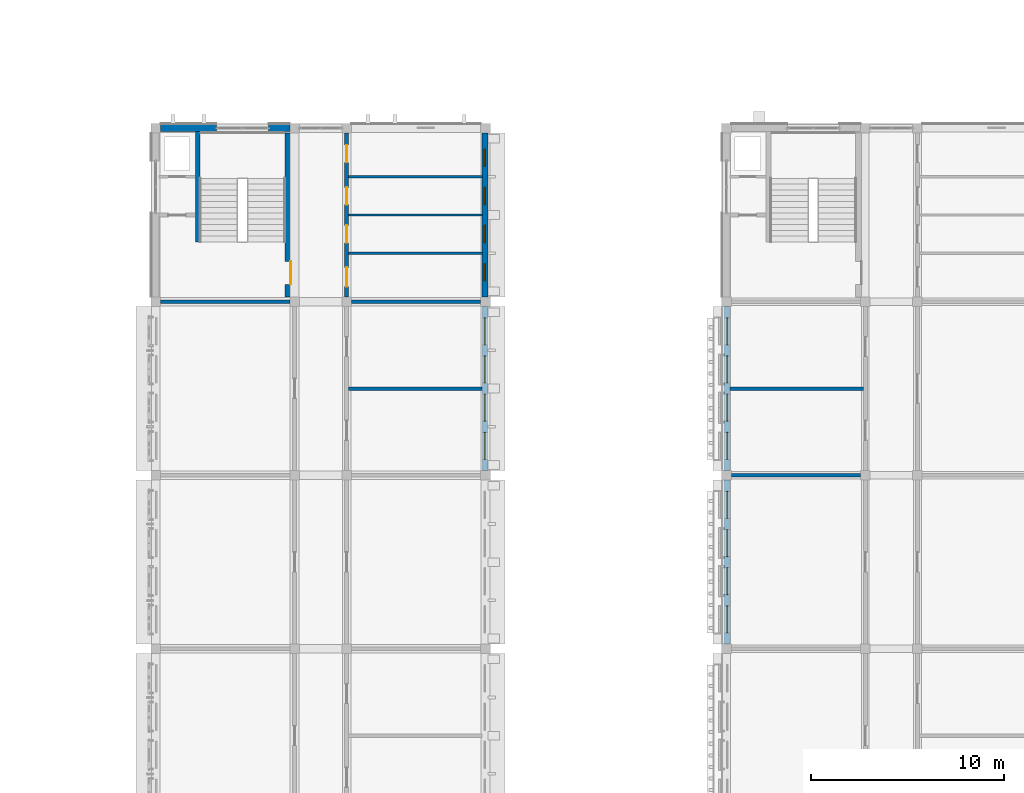
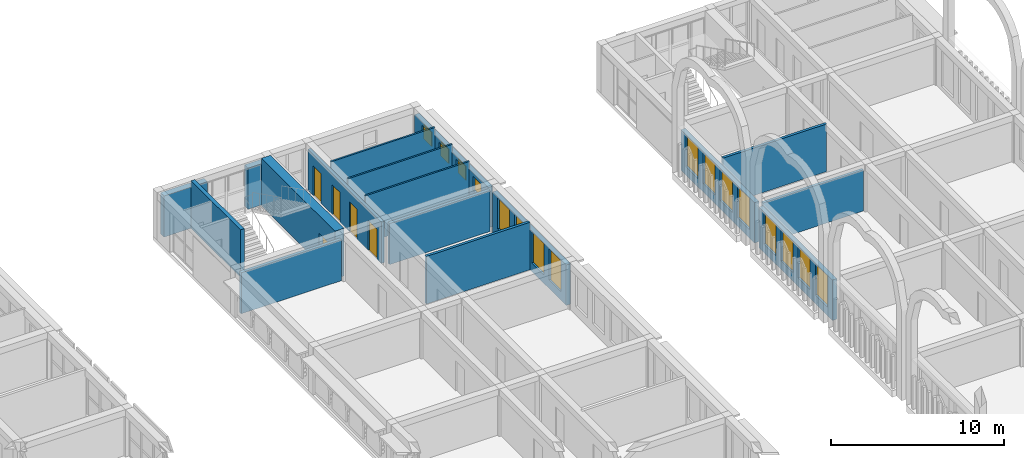
# One storey, part 51 of 82: 17 walls, 16 windows, 5 doors, 21 openings.
"""IFC4 building model written with IfcOpenShell, lengths in metres."""

from ifc_helpers import new_model, si_unit, direction, frame, frame_2d, origin, place, context, subcontext, project, spatial, rectangle, extrude, material, layer, layer_set, type_object, element, fill, save


model = new_model("IFC4")

# Units and contexts
model_context = context("Model", 3, precision=1e-05, world=origin(), true_north=direction((0.0, 1.0)))
body_context = subcontext(model_context, "Body", "Model", "MODEL_VIEW")
ifc_project = project(units=[si_unit("LENGTHUNIT", "METRE"), si_unit("AREAUNIT", "SQUARE_METRE"), si_unit("VOLUMEUNIT", "CUBIC_METRE"), si_unit("PLANEANGLEUNIT", "RADIAN"), si_unit("MASSUNIT", "GRAM", prefix="KILO")], contexts=[model_context])

# Site, building, storey
site_placement = place(None, origin())
site = spatial("IfcSite", under=ifc_project, at=site_placement, CompositionType="ELEMENT")
building_placement = place(site_placement, origin())
building = spatial("IfcBuilding", under=site, at=building_placement, Name="Elbe Cascade School", CompositionType="ELEMENT")
storey_placement = place(building_placement, frame((0.0, 0.0, 4.5)))
storey = spatial("IfcBuildingStorey", under=building, at=storey_placement, Name="L01", CompositionType="ELEMENT", Elevation=4.5)

# Walls
ifc_material_1 = material(Name="Masonry - lime-sand block, plastered", Category="masonry")
ifc_layer_1 = layer(ifc_material_1, 0.175048828125)
ifc_layer_set_1 = layer_set([ifc_layer_1], Name="Masonry - lime-sand block, plastered")
wall_type_1 = type_object("IfcWallType", Name="Bar classroom partition wall lime-sand block 175", PredefinedType="PARTITIONING", material=ifc_layer_set_1)
wall_1_placement = place(storey_placement, frame((108.60009765625, 46.5, 0.0), z_axis=(0.0, 0.0, 1.0), x_axis=(1.0, 0.0, 0.0)))
element("IfcWall", 1, at=wall_1_placement, inside=storey, type_object=wall_type_1, Name="Bar classroom partition wall lime-sand block 175", PredefinedType="PARTITIONING", context=body_context, shape_type="SweptSolid", body=[
    extrude(rectangle(XDim=6.919921875, YDim=0.175048828125, at=frame_2d((3.4599609375, 0.0))), origin(), (0.0, 0.0, 1.0), 3.35009765625),
])
wall_2_placement = place(storey_placement, frame((128.449951171875, 42.0, 0.0), z_axis=(0.0, 0.0, 1.0), x_axis=(1.0, 0.0, 0.0)))
element("IfcWall", 2, at=wall_2_placement, inside=storey, type_object=wall_type_1, Name="Bar classroom partition wall lime-sand block 175", PredefinedType="PARTITIONING", context=body_context, shape_type="SweptSolid", body=[
    extrude(rectangle(XDim=6.699951171875, YDim=0.175048828125, at=frame_2d((3.35009765625, 0.0))), origin(), (0.0, 0.0, 1.0), 2.89990234375),
])
wall_3_placement = place(storey_placement, frame((128.3798828125, 46.5, 0.0), z_axis=(0.0, 0.0, 1.0), x_axis=(1.0, 0.0, 0.0)))
element("IfcWall", 3, at=wall_3_placement, inside=storey, type_object=wall_type_1, Name="Bar classroom partition wall lime-sand block 175", PredefinedType="PARTITIONING", context=body_context, shape_type="SweptSolid", body=[
    extrude(rectangle(XDim=6.920166015625, YDim=0.175048828125, at=frame_2d((3.4599609375, 0.0))), origin(), (0.0, 0.0, 1.0), 3.35009765625),
])

# Wall, openings, doors
ifc_material_2 = material(Name="Masonry - lime-sand block, plastered", Category="masonry")
ifc_layer_2 = layer(ifc_material_2, 0.199951171875)
ifc_layer_set_2 = layer_set([ifc_layer_2], Name="Masonry - lime-sand block, plastered")
wall_type_2 = type_object("IfcWallType", Name="Bar corridor wall lime-sand block 200 EI 30", PredefinedType="PARTITIONING", material=ifc_layer_set_2)
wall_4_placement = place(storey_placement, frame((108.5, 59.75, 0.0), z_axis=(0.0, 0.0, 1.0), x_axis=(0.0, -1.0, 0.0)))
wall_4 = element("IfcWall", 4, at=wall_4_placement, inside=storey, type_object=wall_type_2, Name="Bar corridor wall lime-sand block 200 EI 30", PredefinedType="PARTITIONING", context=body_context, shape_type="SweptSolid", body=[
    extrude(rectangle(XDim=8.5, YDim=0.199951171875, at=frame_2d((4.25, 0.0))), origin(), (0.0, 0.0, 1.0), 2.89990234375),
])
opening_1_placement = place(wall_4_placement, frame((6.96875, 0.0, 0.0)))
opening_1 = element("IfcOpeningElement", 5, at=opening_1_placement, cuts=wall_4, Name="Opening D1.049", PredefinedType="OPENING", context=body_context, shape_type="SweptSolid", body=[
    extrude(rectangle(XDim=1.0, YDim=2.10009765625, at=frame_2d((0.5, 1.050048828125))), frame((0.0, 0.10986328125, 0.0), z_axis=(0.0, -1.0, 0.0), x_axis=(1.0, 0.0, 0.0)), (0.0, 0.0, 1.0), 0.219970703125),
])
opening_2_placement = place(wall_4_placement, frame((4.7900390625, 0.0, 0.0)))
opening_2 = element("IfcOpeningElement", 6, at=opening_2_placement, cuts=wall_4, Name="Opening D1.051", PredefinedType="OPENING", context=body_context, shape_type="SweptSolid", body=[
    extrude(rectangle(XDim=0.89990234375, YDim=2.10009765625, at=frame_2d((0.449951171875, 1.050048828125))), frame((0.0, 0.10986328125, 0.0), z_axis=(0.0, -1.0, 0.0), x_axis=(1.0, 0.0, 0.0)), (0.0, 0.0, 1.0), 0.219970703125),
])
opening_3_placement = place(wall_4_placement, frame((2.81005859375, 0.0, 0.0)))
opening_3 = element("IfcOpeningElement", 7, at=opening_3_placement, cuts=wall_4, Name="Opening D1.053", PredefinedType="OPENING", context=body_context, shape_type="SweptSolid", body=[
    extrude(rectangle(XDim=0.89990234375, YDim=2.10009765625, at=frame_2d((0.449951171875, 1.050048828125))), frame((0.0, 0.10986328125, 0.0), z_axis=(0.0, -1.0, 0.0), x_axis=(1.0, 0.0, 0.0)), (0.0, 0.0, 1.0), 0.219970703125),
])
opening_4_placement = place(wall_4_placement, frame((0.62109375, 0.0, 0.0)))
opening_4 = element("IfcOpeningElement", 8, at=opening_4_placement, cuts=wall_4, Name="Opening D1.055", PredefinedType="OPENING", context=body_context, shape_type="SweptSolid", body=[
    extrude(rectangle(XDim=0.89990234375, YDim=2.10009765625, at=frame_2d((0.449951171875, 1.050048828125))), frame((0.0, 0.10986328125, 0.0), z_axis=(0.0, -1.0, 0.0), x_axis=(1.0, 0.0, 0.0)), (0.0, 0.0, 1.0), 0.219970703125),
])
ifc_material_3 = material(Name="Timber door leaf, fire-resisting, steel frame", Category="steel")
door_type_1 = type_object("IfcDoorType", Name="Bar door FD30 1000x2100", OperationType="NOTDEFINED", PredefinedType="DOOR", material=ifc_material_3)
door_1_placement = place(opening_1_placement, origin())
door_1 = element("IfcDoor", 9, at=door_1_placement, inside=storey, type_object=door_type_1, Name="Door B1.18", OperationType="SINGLE_SWING_LEFT", OverallHeight=2.10009765625, OverallWidth=1.0, PredefinedType="DOOR", context=body_context, shape_type="SweptSolid", body=[
    extrude(rectangle(XDim=1.0, YDim=2.10009765625, at=frame_2d((0.5, 1.050048828125))), frame((0.0, 0.02490234375, 0.0), z_axis=(0.0, -1.0, 0.0), x_axis=(1.0, 0.0, 0.0)), (0.0, 0.0, 1.0), 0.050048828125),
])
fill(opening_1, door_1)
ifc_material_4 = material(Name="Timber door leaf, fire-resisting, steel frame", Category="steel")
door_type_2 = type_object("IfcDoorType", Name="Bar door FD30 900x2100", OperationType="NOTDEFINED", PredefinedType="DOOR", material=ifc_material_4)
door_2_placement = place(opening_2_placement, origin())
door_2 = element("IfcDoor", 10, at=door_2_placement, inside=storey, type_object=door_type_2, Name="Door B1.17", OperationType="SINGLE_SWING_RIGHT", OverallHeight=2.10009765625, OverallWidth=0.89990234375, PredefinedType="DOOR", context=body_context, shape_type="SweptSolid", body=[
    extrude(rectangle(XDim=0.89990234375, YDim=2.10009765625, at=frame_2d((0.449951171875, 1.050048828125))), frame((0.0, 0.02490234375, 0.0), z_axis=(0.0, -1.0, 0.0), x_axis=(1.0, 0.0, 0.0)), (0.0, 0.0, 1.0), 0.050048828125),
])
fill(opening_2, door_2)
door_3_placement = place(opening_3_placement, origin())
door_3 = element("IfcDoor", 11, at=door_3_placement, inside=storey, type_object=door_type_2, Name="Door B1.16", OperationType="SINGLE_SWING_LEFT", OverallHeight=2.10009765625, OverallWidth=0.89990234375, PredefinedType="DOOR", context=body_context, shape_type="SweptSolid", body=[
    extrude(rectangle(XDim=0.89990234375, YDim=2.10009765625, at=frame_2d((0.449951171875, 1.050048828125))), frame((0.0, 0.02490234375, 0.0), z_axis=(0.0, -1.0, 0.0), x_axis=(1.0, 0.0, 0.0)), (0.0, 0.0, 1.0), 0.050048828125),
])
fill(opening_3, door_3)
door_4_placement = place(opening_4_placement, origin())
door_4 = element("IfcDoor", 12, at=door_4_placement, inside=storey, type_object=door_type_2, Name="Door B1.15", OperationType="SINGLE_SWING_RIGHT", OverallHeight=2.10009765625, OverallWidth=0.89990234375, PredefinedType="DOOR", context=body_context, shape_type="SweptSolid", body=[
    extrude(rectangle(XDim=0.89990234375, YDim=2.10009765625, at=frame_2d((0.449951171875, 1.050048828125))), frame((0.0, 0.02490234375, 0.0), z_axis=(0.0, -1.0, 0.0), x_axis=(1.0, 0.0, 0.0)), (0.0, 0.0, 1.0), 0.050048828125),
])
fill(opening_4, door_4)

# Walls
ifc_material_5 = material(Name="Masonry - lime-sand block, plastered", Category="masonry")
ifc_layer_3 = layer(ifc_material_5, 0.114990234375)
ifc_layer_set_3 = layer_set([ifc_layer_3], Name="Masonry - lime-sand block, plastered")
wall_type_3 = type_object("IfcWallType", Name="Bar light partition wall lime-sand block 115", PredefinedType="PARTITIONING", material=ifc_layer_set_3)
for number, where, z_axis, x_axis, name in (
    (13, (108.60009765625, 57.47998046875, 0.0), (0.0, 0.0, 1.0), (1.0, 0.0, 0.0), "Bar light partition wall lime-sand block 115"),
    (14, (108.60009765625, 55.5, 0.0), (0.0, 0.0, 1.0), (1.0, 0.0, 0.0), "Bar light partition wall lime-sand block 115"),
    (15, (108.60009765625, 53.52001953125, 0.0), (0.0, 0.0, 1.0), (1.0, 0.0, 0.0), "Bar light partition wall lime-sand block 115"),
):
    element("IfcWall", number, at=place(storey_placement, frame(where, z_axis=z_axis, x_axis=x_axis)), inside=storey, type_object=wall_type_3, Name=name, PredefinedType="PARTITIONING", context=body_context, shape_type="SweptSolid", body=[
        extrude(rectangle(XDim=6.949951171875, YDim=0.114990234375, at=frame_2d((3.47509765625, 0.0))), origin(), (0.0, 0.0, 1.0), 3.35009765625),
    ])
ifc_material_6 = material(Name="Masonry - lime-sand block, plastered", Category="masonry")
ifc_layer_4 = layer(ifc_material_6, 0.199951171875)
ifc_layer_set_4 = layer_set([ifc_layer_4], Name="Masonry - lime-sand block, plastered")
wall_type_4 = type_object("IfcWallType", Name="Bar partition wall lime-sand block 200", PredefinedType="PARTITIONING", material=ifc_layer_set_4)
wall_5_placement = place(storey_placement, frame((108.75, 51.0, 0.0), z_axis=(0.0, 0.0, 1.0), x_axis=(1.0, 0.0, 0.0)))
element("IfcWall", 16, at=wall_5_placement, inside=storey, type_object=wall_type_4, Name="Bar partition wall lime-sand block 200", PredefinedType="PARTITIONING", context=body_context, shape_type="SweptSolid", body=[
    extrude(rectangle(XDim=6.699951171875, YDim=0.199951171875, at=frame_2d((3.35009765625, 0.0))), origin(), (0.0, 0.0, 1.0), 2.89990234375),
])
ifc_material_7 = material(Name="Concrete C30/37", Category="concrete")
ifc_layer_5 = layer(ifc_material_7, 0.25)
ifc_layer_set_5 = layer_set([ifc_layer_5], Name="Concrete C30/37")
wall_type_5 = type_object("IfcWallType", Name="Bar stair core wall RC 250", PredefinedType="SOLIDWALL", material=ifc_layer_set_5)
wall_6_placement = place(storey_placement, frame((100.77490234375, 54.10009765625, 0.0), z_axis=(0.0, 0.0, 1.0), x_axis=(0.0, 1.0, 0.0)))
element("IfcWall", 17, at=wall_6_placement, inside=storey, type_object=wall_type_5, Name="Bar stair core wall RC 250", PredefinedType="SOLIDWALL", context=body_context, shape_type="SweptSolid", body=[
    extrude(rectangle(XDim=5.719970703125, YDim=0.25, at=frame_2d((2.85986328125, 0.0))), origin(), (0.0, 0.0, 1.0), 3.35009765625),
])

# Wall, opening, door
ifc_material_8 = material(Name="Concrete C30/37", Category="concrete")
ifc_layer_6 = layer(ifc_material_8, 0.60009765625)
ifc_layer_set_6 = layer_set([ifc_layer_6], Name="Concrete C30/37")
wall_type_6 = type_object("IfcWallType", Name="Bar stair core wall RC 600", PredefinedType="SOLIDWALL", material=ifc_layer_set_6)
wall_7_placement = place(storey_placement, frame((105.60009765625, 51.25, 0.0), z_axis=(0.0, 0.0, 1.0), x_axis=(0.0, 1.0, 0.0)))
wall_7 = element("IfcWall", 18, at=wall_7_placement, inside=storey, type_object=wall_type_6, Name="Bar stair core wall RC 600", PredefinedType="SOLIDWALL", context=body_context, shape_type="SweptSolid", body=[
    extrude(rectangle(XDim=8.5, YDim=0.60009765625, at=frame_2d((4.25, 0.0))), origin(), (0.0, 0.0, 1.0), 3.35009765625),
])
opening_5_placement = place(wall_7_placement, frame((0.64990234375, 0.0, 0.0)))
opening_5 = element("IfcOpeningElement", 19, at=opening_5_placement, cuts=wall_7, Name="Opening D1.050", PredefinedType="OPENING", context=body_context, shape_type="SweptSolid", body=[
    extrude(rectangle(XDim=1.199951171875, YDim=2.10009765625, at=frame_2d((0.60009765625, 1.050048828125))), frame((0.0, 0.31005859375, 0.0), z_axis=(0.0, -1.0, 0.0), x_axis=(1.0, 0.0, 0.0)), (0.0, 0.0, 1.0), 0.6201171875),
])
ifc_material_9 = material(Name="Timber door leaf, fire-resisting and smoke-tight, steel frame", Category="steel")
door_type_3 = type_object("IfcDoorType", Name="Bar door FD30S 1200x2100", OperationType="NOTDEFINED", PredefinedType="DOOR", material=ifc_material_9)
door_5_placement = place(opening_5_placement, origin())
door_5 = element("IfcDoor", 20, at=door_5_placement, inside=storey, type_object=door_type_3, Name="Door B1.12", OperationType="SINGLE_SWING_RIGHT", OverallHeight=2.10009765625, OverallWidth=1.199951171875, PredefinedType="DOOR", context=body_context, shape_type="SweptSolid", body=[
    extrude(rectangle(XDim=1.199951171875, YDim=2.10009765625, at=frame_2d((0.60009765625, 1.050048828125))), frame((0.0, 0.02490234375, 0.0), z_axis=(0.0, -1.0, 0.0), x_axis=(1.0, 0.0, 0.0)), (0.0, 0.0, 1.0), 0.050048828125),
])
fill(opening_5, door_5)

# Wall
ifc_material_10 = material(Name="Concrete C30/37", Category="concrete")
ifc_layer_7 = layer(ifc_material_10, 0.199951171875)
ifc_layer_set_7 = layer_set([ifc_layer_7], Name="Concrete C30/37")
wall_type_7 = type_object("IfcWallType", Name="Bar stair lobby wall RC 200", PredefinedType="SOLIDWALL", material=ifc_layer_set_7)
wall_8_placement = place(storey_placement, frame((98.85009765625, 51.0, 0.0), z_axis=(0.0, 0.0, 1.0), x_axis=(1.0, 0.0, 0.0)))
element("IfcWall", 21, at=wall_8_placement, inside=storey, type_object=wall_type_7, Name="Bar stair lobby wall RC 200", PredefinedType="SOLIDWALL", context=body_context, shape_type="SweptSolid", body=[
    extrude(rectangle(XDim=6.699951171875, YDim=0.199951171875, at=frame_2d((3.35009765625, 0.0))), origin(), (0.0, 0.0, 1.0), 2.89990234375),
])

# Wall, openings, windows
ifc_material_11 = material(Name="Brick masonry - red clinker, cavity wall with render backing", Category="masonry")
ifc_layer_8 = layer(ifc_material_11, 0.300048828125)
ifc_layer_set_8 = layer_set([ifc_layer_8], Name="Brick masonry - red clinker, cavity wall with render backing")
wall_type_8 = type_object("IfcWallType", Name="Bars envelope External wall - clinker brick cavity, 300 upper floors", PredefinedType="STANDARD", material=ifc_layer_set_8)
wall_9_placement = place(storey_placement, frame((115.669921875, 50.75, 0.0), z_axis=(0.0, 0.0, 1.0), x_axis=(0.0, -1.0, 0.0)))
wall_9 = element("IfcWall", 22, at=wall_9_placement, inside=storey, type_object=wall_type_8, Name="External wall W30 B.L01.e5", PredefinedType="STANDARD", context=body_context, shape_type="SweptSolid", body=[
    extrude(rectangle(XDim=8.5, YDim=0.300048828125, at=frame_2d((4.25, 0.0))), origin(), (0.0, 0.0, 1.0), 2.85009765625),
])
opening_6_placement = place(wall_9_placement, frame((6.52001953125, 0.0, 0.60009765625)))
opening_6 = element("IfcOpeningElement", 23, at=opening_6_placement, cuts=wall_9, Name="Opening W1.051", PredefinedType="OPENING", context=body_context, shape_type="SweptSolid", body=[
    extrude(rectangle(XDim=1.39990234375, YDim=2.199951171875, at=frame_2d((0.699951171875, 1.10009765625))), frame((0.0, 0.159912109375, 0.0), z_axis=(0.0, -1.0, 0.0), x_axis=(1.0, 0.0, 0.0)), (0.0, 0.0, 1.0), 0.320068359375),
])
opening_7_placement = place(wall_9_placement, frame((4.5400390625, 0.0, 0.60009765625)))
opening_7 = element("IfcOpeningElement", 24, at=opening_7_placement, cuts=wall_9, Name="Opening W1.053", PredefinedType="OPENING", context=body_context, shape_type="SweptSolid", body=[
    extrude(rectangle(XDim=1.39990234375, YDim=2.199951171875, at=frame_2d((0.699951171875, 1.10009765625))), frame((0.0, 0.159912109375, 0.0), z_axis=(0.0, -1.0, 0.0), x_axis=(1.0, 0.0, 0.0)), (0.0, 0.0, 1.0), 0.320068359375),
])
opening_8_placement = place(wall_9_placement, frame((2.56005859375, 0.0, 0.60009765625)))
opening_8 = element("IfcOpeningElement", 25, at=opening_8_placement, cuts=wall_9, Name="Opening W1.055", PredefinedType="OPENING", context=body_context, shape_type="SweptSolid", body=[
    extrude(rectangle(XDim=1.39990234375, YDim=2.199951171875, at=frame_2d((0.699951171875, 1.10009765625))), frame((0.0, 0.159912109375, 0.0), z_axis=(0.0, -1.0, 0.0), x_axis=(1.0, 0.0, 0.0)), (0.0, 0.0, 1.0), 0.320068359375),
])
opening_9_placement = place(wall_9_placement, frame((0.580078125, 0.0, 0.60009765625)))
opening_9 = element("IfcOpeningElement", 26, at=opening_9_placement, cuts=wall_9, Name="Opening W1.057", PredefinedType="OPENING", context=body_context, shape_type="SweptSolid", body=[
    extrude(rectangle(XDim=1.39990234375, YDim=2.199951171875, at=frame_2d((0.699951171875, 1.10009765625))), frame((0.0, 0.159912109375, 0.0), z_axis=(0.0, -1.0, 0.0), x_axis=(1.0, 0.0, 0.0)), (0.0, 0.0, 1.0), 0.320068359375),
])
ifc_material_12 = material(Name="Aluminium frame with double glazing, bronze anodised", Category="aluminium")
window_type_1 = type_object("IfcWindowType", Name="Bars envelope Window 1400 x 2200, classroom, aluminium double glazed", PartitioningType="DOUBLE_PANEL_VERTICAL", PredefinedType="WINDOW", material=ifc_material_12)
window_1_placement = place(opening_6_placement, origin())
window_1 = element("IfcWindow", 27, at=window_1_placement, inside=storey, type_object=window_type_1, Name="Window WN7 B.L01.e5.1", OverallHeight=2.199951171875, OverallWidth=1.39990234375, PartitioningType="DOUBLE_PANEL_VERTICAL", PredefinedType="WINDOW", context=body_context, shape_type="SweptSolid", body=[
    extrude(rectangle(XDim=1.39990234375, YDim=2.199951171875, at=frame_2d((0.699951171875, 1.10009765625))), frame((0.0, 0.030029296875, 0.0), z_axis=(0.0, -1.0, 0.0), x_axis=(1.0, 0.0, 0.0)), (0.0, 0.0, 1.0), 0.06005859375),
])
fill(opening_6, window_1)
window_2_placement = place(opening_7_placement, origin())
window_2 = element("IfcWindow", 28, at=window_2_placement, inside=storey, type_object=window_type_1, Name="Window WN7 B.L01.e5.2", OverallHeight=2.199951171875, OverallWidth=1.39990234375, PartitioningType="DOUBLE_PANEL_VERTICAL", PredefinedType="WINDOW", context=body_context, shape_type="SweptSolid", body=[
    extrude(rectangle(XDim=1.39990234375, YDim=2.199951171875, at=frame_2d((0.699951171875, 1.10009765625))), frame((0.0, 0.030029296875, 0.0), z_axis=(0.0, -1.0, 0.0), x_axis=(1.0, 0.0, 0.0)), (0.0, 0.0, 1.0), 0.06005859375),
])
fill(opening_7, window_2)
window_3_placement = place(opening_8_placement, origin())
window_3 = element("IfcWindow", 29, at=window_3_placement, inside=storey, type_object=window_type_1, Name="Window WN7 B.L01.e5.3", OverallHeight=2.199951171875, OverallWidth=1.39990234375, PartitioningType="DOUBLE_PANEL_VERTICAL", PredefinedType="WINDOW", context=body_context, shape_type="SweptSolid", body=[
    extrude(rectangle(XDim=1.39990234375, YDim=2.199951171875, at=frame_2d((0.699951171875, 1.10009765625))), frame((0.0, 0.030029296875, 0.0), z_axis=(0.0, -1.0, 0.0), x_axis=(1.0, 0.0, 0.0)), (0.0, 0.0, 1.0), 0.06005859375),
])
fill(opening_8, window_3)
window_4_placement = place(opening_9_placement, origin())
window_4 = element("IfcWindow", 30, at=window_4_placement, inside=storey, type_object=window_type_1, Name="Window WN7 B.L01.e5.4", OverallHeight=2.199951171875, OverallWidth=1.39990234375, PartitioningType="DOUBLE_PANEL_VERTICAL", PredefinedType="WINDOW", context=body_context, shape_type="SweptSolid", body=[
    extrude(rectangle(XDim=1.39990234375, YDim=2.199951171875, at=frame_2d((0.699951171875, 1.10009765625))), frame((0.0, 0.030029296875, 0.0), z_axis=(0.0, -1.0, 0.0), x_axis=(1.0, 0.0, 0.0)), (0.0, 0.0, 1.0), 0.06005859375),
])
fill(opening_9, window_4)

wall_10_placement = place(storey_placement, frame((115.669921875, 59.75, 0.0), z_axis=(0.0, 0.0, 1.0), x_axis=(0.0, -1.0, 0.0)))
wall_10 = element("IfcWall", 31, at=wall_10_placement, inside=storey, type_object=wall_type_8, Name="External wall W30 B.L01.e6", PredefinedType="STANDARD", context=body_context, shape_type="SweptSolid", body=[
    extrude(rectangle(XDim=8.5, YDim=0.300048828125, at=frame_2d((4.25, 0.0))), origin(), (0.0, 0.0, 1.0), 2.85009765625),
])
opening_10_placement = place(wall_10_placement, frame((6.77001953125, 0.0, 1.60009765625)))
opening_10 = element("IfcOpeningElement", 32, at=opening_10_placement, cuts=wall_10, Name="Opening W1.058", PredefinedType="OPENING", context=body_context, shape_type="SweptSolid", body=[
    extrude(rectangle(XDim=0.89990234375, YDim=1.0, at=frame_2d((0.449951171875, 0.5))), frame((0.0, 0.159912109375, 0.0), z_axis=(0.0, -1.0, 0.0), x_axis=(1.0, 0.0, 0.0)), (0.0, 0.0, 1.0), 0.320068359375),
])
opening_11_placement = place(wall_10_placement, frame((4.7900390625, 0.0, 1.60009765625)))
opening_11 = element("IfcOpeningElement", 33, at=opening_11_placement, cuts=wall_10, Name="Opening W1.059", PredefinedType="OPENING", context=body_context, shape_type="SweptSolid", body=[
    extrude(rectangle(XDim=0.89990234375, YDim=1.0, at=frame_2d((0.449951171875, 0.5))), frame((0.0, 0.159912109375, 0.0), z_axis=(0.0, -1.0, 0.0), x_axis=(1.0, 0.0, 0.0)), (0.0, 0.0, 1.0), 0.320068359375),
])
opening_12_placement = place(wall_10_placement, frame((2.81005859375, 0.0, 1.60009765625)))
opening_12 = element("IfcOpeningElement", 34, at=opening_12_placement, cuts=wall_10, Name="Opening W1.060", PredefinedType="OPENING", context=body_context, shape_type="SweptSolid", body=[
    extrude(rectangle(XDim=0.89990234375, YDim=1.0, at=frame_2d((0.449951171875, 0.5))), frame((0.0, 0.159912109375, 0.0), z_axis=(0.0, -1.0, 0.0), x_axis=(1.0, 0.0, 0.0)), (0.0, 0.0, 1.0), 0.320068359375),
])
opening_13_placement = place(wall_10_placement, frame((0.830078125, 0.0, 1.60009765625)))
opening_13 = element("IfcOpeningElement", 35, at=opening_13_placement, cuts=wall_10, Name="Opening W1.061", PredefinedType="OPENING", context=body_context, shape_type="SweptSolid", body=[
    extrude(rectangle(XDim=0.89990234375, YDim=1.0, at=frame_2d((0.449951171875, 0.5))), frame((0.0, 0.159912109375, 0.0), z_axis=(0.0, -1.0, 0.0), x_axis=(1.0, 0.0, 0.0)), (0.0, 0.0, 1.0), 0.320068359375),
])
ifc_material_13 = material(Name="Aluminium frame with double glazing, bronze anodised", Category="aluminium")
window_type_2 = type_object("IfcWindowType", Name="Bars envelope Window 900 x 1000, WC and service room, high level, aluminium double glazed", PartitioningType="SINGLE_PANEL", PredefinedType="WINDOW", material=ifc_material_13)
window_5_placement = place(opening_10_placement, origin())
window_5 = element("IfcWindow", 36, at=window_5_placement, inside=storey, type_object=window_type_2, Name="Window WN4 B.L01.e6.1", OverallHeight=1.0, OverallWidth=0.89990234375, PartitioningType="SINGLE_PANEL", PredefinedType="WINDOW", context=body_context, shape_type="SweptSolid", body=[
    extrude(rectangle(XDim=0.89990234375, YDim=1.0, at=frame_2d((0.449951171875, 0.5))), frame((0.0, 0.030029296875, 0.0), z_axis=(0.0, -1.0, 0.0), x_axis=(1.0, 0.0, 0.0)), (0.0, 0.0, 1.0), 0.06005859375),
])
fill(opening_10, window_5)
window_6_placement = place(opening_11_placement, origin())
window_6 = element("IfcWindow", 37, at=window_6_placement, inside=storey, type_object=window_type_2, Name="Window WN4 B.L01.e6.2", OverallHeight=1.0, OverallWidth=0.89990234375, PartitioningType="SINGLE_PANEL", PredefinedType="WINDOW", context=body_context, shape_type="SweptSolid", body=[
    extrude(rectangle(XDim=0.89990234375, YDim=1.0, at=frame_2d((0.449951171875, 0.5))), frame((0.0, 0.030029296875, 0.0), z_axis=(0.0, -1.0, 0.0), x_axis=(1.0, 0.0, 0.0)), (0.0, 0.0, 1.0), 0.06005859375),
])
fill(opening_11, window_6)
window_7_placement = place(opening_12_placement, origin())
window_7 = element("IfcWindow", 38, at=window_7_placement, inside=storey, type_object=window_type_2, Name="Window WN4 B.L01.e6.3", OverallHeight=1.0, OverallWidth=0.89990234375, PartitioningType="SINGLE_PANEL", PredefinedType="WINDOW", context=body_context, shape_type="SweptSolid", body=[
    extrude(rectangle(XDim=0.89990234375, YDim=1.0, at=frame_2d((0.449951171875, 0.5))), frame((0.0, 0.030029296875, 0.0), z_axis=(0.0, -1.0, 0.0), x_axis=(1.0, 0.0, 0.0)), (0.0, 0.0, 1.0), 0.06005859375),
])
fill(opening_12, window_7)
window_8_placement = place(opening_13_placement, origin())
window_8 = element("IfcWindow", 39, at=window_8_placement, inside=storey, type_object=window_type_2, Name="Window WN4 B.L01.e6.4", OverallHeight=1.0, OverallWidth=0.89990234375, PartitioningType="SINGLE_PANEL", PredefinedType="WINDOW", context=body_context, shape_type="SweptSolid", body=[
    extrude(rectangle(XDim=0.89990234375, YDim=1.0, at=frame_2d((0.449951171875, 0.5))), frame((0.0, 0.030029296875, 0.0), z_axis=(0.0, -1.0, 0.0), x_axis=(1.0, 0.0, 0.0)), (0.0, 0.0, 1.0), 0.06005859375),
])
fill(opening_13, window_8)

wall_11_placement = place(storey_placement, frame((128.22998046875, 33.25, 0.0), z_axis=(0.0, 0.0, 1.0), x_axis=(0.0, 1.0, 0.0)))
wall_11 = element("IfcWall", 40, at=wall_11_placement, inside=storey, type_object=wall_type_8, Name="External wall W30 C.L01.w4", PredefinedType="STANDARD", context=body_context, shape_type="SweptSolid", body=[
    extrude(rectangle(XDim=8.5, YDim=0.300048828125, at=frame_2d((4.25, 0.0))), origin(), (0.0, 0.0, 1.0), 2.85009765625),
])
opening_14_placement = place(wall_11_placement, frame((0.580078125, 0.0, 0.60009765625)))
opening_14 = element("IfcOpeningElement", 41, at=opening_14_placement, cuts=wall_11, Name="Opening W1.082", PredefinedType="OPENING", context=body_context, shape_type="SweptSolid", body=[
    extrude(rectangle(XDim=1.39990234375, YDim=2.199951171875, at=frame_2d((0.699951171875, 1.10009765625))), frame((0.0, 0.159912109375, 0.0), z_axis=(0.0, -1.0, 0.0), x_axis=(1.0, 0.0, 0.0)), (0.0, 0.0, 1.0), 0.320068359375),
])
opening_15_placement = place(wall_11_placement, frame((2.56005859375, 0.0, 0.60009765625)))
opening_15 = element("IfcOpeningElement", 42, at=opening_15_placement, cuts=wall_11, Name="Opening W1.084", PredefinedType="OPENING", context=body_context, shape_type="SweptSolid", body=[
    extrude(rectangle(XDim=1.39990234375, YDim=2.199951171875, at=frame_2d((0.699951171875, 1.10009765625))), frame((0.0, 0.159912109375, 0.0), z_axis=(0.0, -1.0, 0.0), x_axis=(1.0, 0.0, 0.0)), (0.0, 0.0, 1.0), 0.320068359375),
])
opening_16_placement = place(wall_11_placement, frame((4.5400390625, 0.0, 0.60009765625)))
opening_16 = element("IfcOpeningElement", 43, at=opening_16_placement, cuts=wall_11, Name="Opening W1.086", PredefinedType="OPENING", context=body_context, shape_type="SweptSolid", body=[
    extrude(rectangle(XDim=1.39990234375, YDim=2.199951171875, at=frame_2d((0.699951171875, 1.10009765625))), frame((0.0, 0.159912109375, 0.0), z_axis=(0.0, -1.0, 0.0), x_axis=(1.0, 0.0, 0.0)), (0.0, 0.0, 1.0), 0.320068359375),
])
opening_17_placement = place(wall_11_placement, frame((6.52001953125, 0.0, 0.60009765625)))
opening_17 = element("IfcOpeningElement", 44, at=opening_17_placement, cuts=wall_11, Name="Opening W1.088", PredefinedType="OPENING", context=body_context, shape_type="SweptSolid", body=[
    extrude(rectangle(XDim=1.39990234375, YDim=2.199951171875, at=frame_2d((0.699951171875, 1.10009765625))), frame((0.0, 0.159912109375, 0.0), z_axis=(0.0, -1.0, 0.0), x_axis=(1.0, 0.0, 0.0)), (0.0, 0.0, 1.0), 0.320068359375),
])
window_9_placement = place(opening_14_placement, origin())
window_9 = element("IfcWindow", 45, at=window_9_placement, inside=storey, type_object=window_type_1, Name="Window WN7 C.L01.w4.1", OverallHeight=2.199951171875, OverallWidth=1.39990234375, PartitioningType="DOUBLE_PANEL_VERTICAL", PredefinedType="WINDOW", context=body_context, shape_type="SweptSolid", body=[
    extrude(rectangle(XDim=1.39990234375, YDim=2.199951171875, at=frame_2d((0.699951171875, 1.10009765625))), frame((0.0, 0.030029296875, 0.0), z_axis=(0.0, -1.0, 0.0), x_axis=(1.0, 0.0, 0.0)), (0.0, 0.0, 1.0), 0.06005859375),
])
fill(opening_14, window_9)
window_10_placement = place(opening_15_placement, origin())
window_10 = element("IfcWindow", 46, at=window_10_placement, inside=storey, type_object=window_type_1, Name="Window WN7 C.L01.w4.2", OverallHeight=2.199951171875, OverallWidth=1.39990234375, PartitioningType="DOUBLE_PANEL_VERTICAL", PredefinedType="WINDOW", context=body_context, shape_type="SweptSolid", body=[
    extrude(rectangle(XDim=1.39990234375, YDim=2.199951171875, at=frame_2d((0.699951171875, 1.10009765625))), frame((0.0, 0.030029296875, 0.0), z_axis=(0.0, -1.0, 0.0), x_axis=(1.0, 0.0, 0.0)), (0.0, 0.0, 1.0), 0.06005859375),
])
fill(opening_15, window_10)
window_11_placement = place(opening_16_placement, origin())
window_11 = element("IfcWindow", 47, at=window_11_placement, inside=storey, type_object=window_type_1, Name="Window WN7 C.L01.w4.3", OverallHeight=2.199951171875, OverallWidth=1.39990234375, PartitioningType="DOUBLE_PANEL_VERTICAL", PredefinedType="WINDOW", context=body_context, shape_type="SweptSolid", body=[
    extrude(rectangle(XDim=1.39990234375, YDim=2.199951171875, at=frame_2d((0.699951171875, 1.10009765625))), frame((0.0, 0.030029296875, 0.0), z_axis=(0.0, -1.0, 0.0), x_axis=(1.0, 0.0, 0.0)), (0.0, 0.0, 1.0), 0.06005859375),
])
fill(opening_16, window_11)
window_12_placement = place(opening_17_placement, origin())
window_12 = element("IfcWindow", 48, at=window_12_placement, inside=storey, type_object=window_type_1, Name="Window WN7 C.L01.w4.4", OverallHeight=2.199951171875, OverallWidth=1.39990234375, PartitioningType="DOUBLE_PANEL_VERTICAL", PredefinedType="WINDOW", context=body_context, shape_type="SweptSolid", body=[
    extrude(rectangle(XDim=1.39990234375, YDim=2.199951171875, at=frame_2d((0.699951171875, 1.10009765625))), frame((0.0, 0.030029296875, 0.0), z_axis=(0.0, -1.0, 0.0), x_axis=(1.0, 0.0, 0.0)), (0.0, 0.0, 1.0), 0.06005859375),
])
fill(opening_17, window_12)

wall_12_placement = place(storey_placement, frame((128.22998046875, 42.25, 0.0), z_axis=(0.0, 0.0, 1.0), x_axis=(0.0, 1.0, 0.0)))
wall_12 = element("IfcWall", 49, at=wall_12_placement, inside=storey, type_object=wall_type_8, Name="External wall W30 C.L01.w5", PredefinedType="STANDARD", context=body_context, shape_type="SweptSolid", body=[
    extrude(rectangle(XDim=8.5, YDim=0.300048828125, at=frame_2d((4.25, 0.0))), origin(), (0.0, 0.0, 1.0), 2.85009765625),
])
opening_18_placement = place(wall_12_placement, frame((0.580078125, 0.0, 0.60009765625)))
opening_18 = element("IfcOpeningElement", 50, at=opening_18_placement, cuts=wall_12, Name="Opening W1.090", PredefinedType="OPENING", context=body_context, shape_type="SweptSolid", body=[
    extrude(rectangle(XDim=1.39990234375, YDim=2.199951171875, at=frame_2d((0.699951171875, 1.10009765625))), frame((0.0, 0.159912109375, 0.0), z_axis=(0.0, -1.0, 0.0), x_axis=(1.0, 0.0, 0.0)), (0.0, 0.0, 1.0), 0.320068359375),
])
opening_19_placement = place(wall_12_placement, frame((2.56005859375, 0.0, 0.60009765625)))
opening_19 = element("IfcOpeningElement", 51, at=opening_19_placement, cuts=wall_12, Name="Opening W1.092", PredefinedType="OPENING", context=body_context, shape_type="SweptSolid", body=[
    extrude(rectangle(XDim=1.39990234375, YDim=2.199951171875, at=frame_2d((0.699951171875, 1.10009765625))), frame((0.0, 0.159912109375, 0.0), z_axis=(0.0, -1.0, 0.0), x_axis=(1.0, 0.0, 0.0)), (0.0, 0.0, 1.0), 0.320068359375),
])
opening_20_placement = place(wall_12_placement, frame((4.5400390625, 0.0, 0.60009765625)))
opening_20 = element("IfcOpeningElement", 52, at=opening_20_placement, cuts=wall_12, Name="Opening W1.094", PredefinedType="OPENING", context=body_context, shape_type="SweptSolid", body=[
    extrude(rectangle(XDim=1.39990234375, YDim=2.199951171875, at=frame_2d((0.699951171875, 1.10009765625))), frame((0.0, 0.159912109375, 0.0), z_axis=(0.0, -1.0, 0.0), x_axis=(1.0, 0.0, 0.0)), (0.0, 0.0, 1.0), 0.320068359375),
])
opening_21_placement = place(wall_12_placement, frame((6.52001953125, 0.0, 0.60009765625)))
opening_21 = element("IfcOpeningElement", 53, at=opening_21_placement, cuts=wall_12, Name="Opening W1.096", PredefinedType="OPENING", context=body_context, shape_type="SweptSolid", body=[
    extrude(rectangle(XDim=1.39990234375, YDim=2.199951171875, at=frame_2d((0.699951171875, 1.10009765625))), frame((0.0, 0.159912109375, 0.0), z_axis=(0.0, -1.0, 0.0), x_axis=(1.0, 0.0, 0.0)), (0.0, 0.0, 1.0), 0.320068359375),
])
window_13_placement = place(opening_18_placement, origin())
window_13 = element("IfcWindow", 54, at=window_13_placement, inside=storey, type_object=window_type_1, Name="Window WN7 C.L01.w5.1", OverallHeight=2.199951171875, OverallWidth=1.39990234375, PartitioningType="DOUBLE_PANEL_VERTICAL", PredefinedType="WINDOW", context=body_context, shape_type="SweptSolid", body=[
    extrude(rectangle(XDim=1.39990234375, YDim=2.199951171875, at=frame_2d((0.699951171875, 1.10009765625))), frame((0.0, 0.030029296875, 0.0), z_axis=(0.0, -1.0, 0.0), x_axis=(1.0, 0.0, 0.0)), (0.0, 0.0, 1.0), 0.06005859375),
])
fill(opening_18, window_13)
window_14_placement = place(opening_19_placement, origin())
window_14 = element("IfcWindow", 55, at=window_14_placement, inside=storey, type_object=window_type_1, Name="Window WN7 C.L01.w5.2", OverallHeight=2.199951171875, OverallWidth=1.39990234375, PartitioningType="DOUBLE_PANEL_VERTICAL", PredefinedType="WINDOW", context=body_context, shape_type="SweptSolid", body=[
    extrude(rectangle(XDim=1.39990234375, YDim=2.199951171875, at=frame_2d((0.699951171875, 1.10009765625))), frame((0.0, 0.030029296875, 0.0), z_axis=(0.0, -1.0, 0.0), x_axis=(1.0, 0.0, 0.0)), (0.0, 0.0, 1.0), 0.06005859375),
])
fill(opening_19, window_14)
window_15_placement = place(opening_20_placement, origin())
window_15 = element("IfcWindow", 56, at=window_15_placement, inside=storey, type_object=window_type_1, Name="Window WN7 C.L01.w5.3", OverallHeight=2.199951171875, OverallWidth=1.39990234375, PartitioningType="DOUBLE_PANEL_VERTICAL", PredefinedType="WINDOW", context=body_context, shape_type="SweptSolid", body=[
    extrude(rectangle(XDim=1.39990234375, YDim=2.199951171875, at=frame_2d((0.699951171875, 1.10009765625))), frame((0.0, 0.030029296875, 0.0), z_axis=(0.0, -1.0, 0.0), x_axis=(1.0, 0.0, 0.0)), (0.0, 0.0, 1.0), 0.06005859375),
])
fill(opening_20, window_15)
window_16_placement = place(opening_21_placement, origin())
window_16 = element("IfcWindow", 57, at=window_16_placement, inside=storey, type_object=window_type_1, Name="Window WN7 C.L01.w5.4", OverallHeight=2.199951171875, OverallWidth=1.39990234375, PartitioningType="DOUBLE_PANEL_VERTICAL", PredefinedType="WINDOW", context=body_context, shape_type="SweptSolid", body=[
    extrude(rectangle(XDim=1.39990234375, YDim=2.199951171875, at=frame_2d((0.699951171875, 1.10009765625))), frame((0.0, 0.030029296875, 0.0), z_axis=(0.0, -1.0, 0.0), x_axis=(1.0, 0.0, 0.0)), (0.0, 0.0, 1.0), 0.06005859375),
])
fill(opening_21, window_16)

# Walls
ifc_material_14 = material(Name="Brick masonry - red clinker, solid, sandstone-faced", Category="masonry")
ifc_layer_9 = layer(ifc_material_14, 0.39990234375)
ifc_layer_set_9 = layer_set([ifc_layer_9], Name="Brick masonry - red clinker, solid, sandstone-faced")
wall_type_9 = type_object("IfcWallType", Name="Bars envelope External wall - solid masonry core strip, sandstone faced, 400", PredefinedType="STANDARD", material=ifc_layer_set_9)
wall_13_placement = place(storey_placement, frame((98.85009765625, 60.02001953125, 0.0), z_axis=(0.0, 0.0, 1.0), x_axis=(1.0, 0.0, 0.0)))
element("IfcWall", 58, at=wall_13_placement, inside=storey, type_object=wall_type_9, Name="External wall W31 B.L01.n1a", PredefinedType="STANDARD", context=body_context, shape_type="SweptSolid", body=[
    extrude(rectangle(XDim=2.89990234375, YDim=0.39990234375, at=frame_2d((1.449951171875, 0.0))), origin(), (0.0, 0.0, 1.0), 2.89990234375),
])
wall_14_placement = place(storey_placement, frame((104.449951171875, 60.02001953125, 0.0), z_axis=(0.0, 0.0, 1.0), x_axis=(1.0, 0.0, 0.0)))
element("IfcWall", 59, at=wall_14_placement, inside=storey, type_object=wall_type_9, Name="External wall W31 B.L01.n1b", PredefinedType="STANDARD", context=body_context, shape_type="SweptSolid", body=[
    extrude(rectangle(XDim=1.10009765625, YDim=0.39990234375, at=frame_2d((0.550048828125, 0.0))), origin(), (0.0, 0.0, 1.0), 2.89990234375),
])

save(model, "model.ifc")
